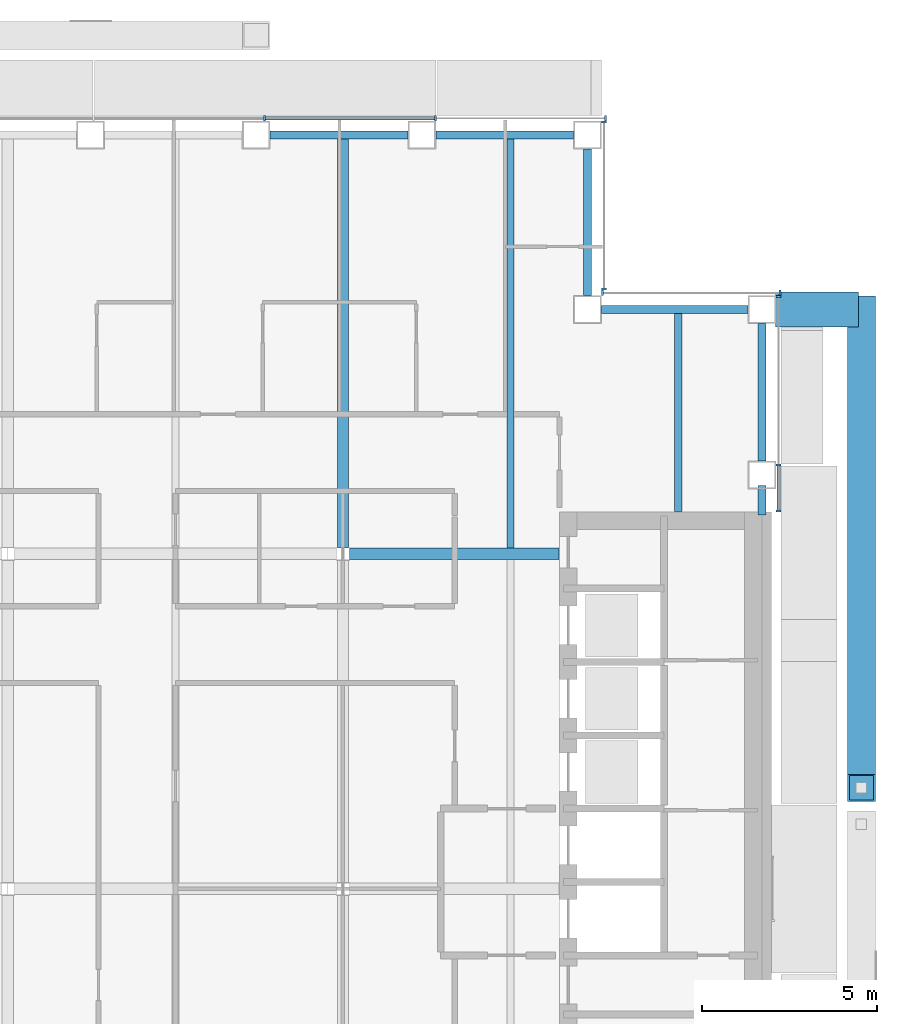
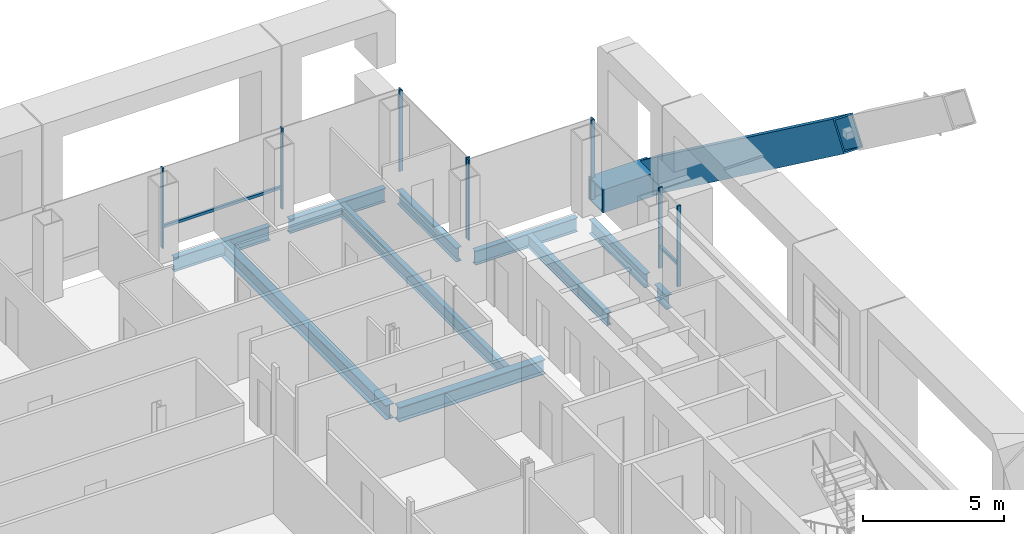
# One storey, part 10 of 22: 13 members, 11 beams, 4 elements without a shape of their own.
"""IFC4 building model written with IfcOpenShell, lengths in metres."""

from ifc_helpers import new_model, si_unit, direction, frame, origin, origin_2d, place, context, subcontext, project, spatial, rectangle, hollow_rectangle, i_section, extrude, material, material_profile, profile_set, type_object, element, aggregate, save


model = new_model("IFC4")

# Units and contexts
model_context = context("Model", 3, precision=1e-05, world=origin(), true_north=direction((0.0, 1.0)))
body_context = subcontext(model_context, "Body", "Model", "MODEL_VIEW")
ifc_project = project(units=[si_unit("LENGTHUNIT", "METRE"), si_unit("AREAUNIT", "SQUARE_METRE"), si_unit("VOLUMEUNIT", "CUBIC_METRE"), si_unit("PLANEANGLEUNIT", "RADIAN"), si_unit("MASSUNIT", "GRAM", prefix="KILO")], contexts=[model_context])

# Site, building, storey
site_placement = place(None, origin())
site = spatial("IfcSite", under=ifc_project, at=site_placement, CompositionType="ELEMENT")
building_placement = place(site_placement, origin())
building = spatial("IfcBuilding", under=site, at=building_placement, Name="Cobrizo Arcos Hotel Tower", CompositionType="ELEMENT")
storey_placement = place(building_placement, frame((0.0, 0.0, 162.0)))
storey = spatial("IfcBuildingStorey", under=building, at=storey_placement, Name="L41", CompositionType="ELEMENT", Elevation=162.0)

# Beam
ifc_material_1 = material(Name="Steel ASTM A572 Grade 50", Category="steel")
ifc_material_profile_1 = material_profile(ifc_material_1, hollow_rectangle(XDim=1.0, YDim=1.0, WallThickness=0.06005859375, at=origin_2d()), Name="BOX 1000X1000X60")
ifc_profile_set_1 = profile_set([ifc_material_profile_1], Name="Steel ASTM A572 Grade 50")
beam_type_1 = type_object("IfcBeamType", Name="BOX 1000X1000X60 brace connector strut", PredefinedType="BEAM", material=ifc_profile_set_1)
beam_1_placement = place(storey_placement, frame((21.989990234375, 16.60009765625, 0.5), z_axis=(1.0, 0.0, 0.0), x_axis=(0.0, 1.0, 0.0)))
element("IfcBeam", 1, at=beam_1_placement, inside=storey, type_object=beam_type_1, Name="Perimeter brace stub BS1, zone Z3, east face, offset +16.60 m, L41", PredefinedType="BEAM", context=body_context, shape_type="SweptSolid", body=[
    extrude(hollow_rectangle(XDim=1.0, YDim=1.0, WallThickness=0.06005859375, at=origin_2d()), origin(), (0.0, 0.0, 1.0), 2.380126953125),
])

# Member
ifc_material_profile_2 = material_profile(ifc_material_1, hollow_rectangle(XDim=0.800048828125, YDim=1.300048828125, WallThickness=0.06005859375, at=origin_2d()), Name="BOX 800X1300X60")
ifc_profile_set_2 = profile_set([ifc_material_profile_2], Name="Steel ASTM A572 Grade 50")
member_type_1 = type_object("IfcMemberType", Name="BOX 800X1300X60 perimeter brace", PredefinedType="BRACE", material=ifc_profile_set_2)
member_1_placement = place(storey_placement, frame((24.449951171875, 16.60009765625, 0.5), z_axis=(0.0, -0.804630166974, 0.593776299961), x_axis=(1.0, 0.0, 0.0)))
element("IfcMember", 2, at=member_1_placement, inside=storey, type_object=member_type_1, Name="Perimeter brace PBR3, zone Z3, east face, no. 09", PredefinedType="BRACE", context=body_context, shape_type="SweptSolid", body=[
    extrude(hollow_rectangle(XDim=0.800048828125, YDim=1.300048828125, WallThickness=0.06005859375, at=origin_2d()), origin(), (0.0, 0.0, 1.0), 17.033447265625),
])

# Curtain wall, members
ifc_material_2 = material(Name="Aluminium 6063-T6 anodised bronze", Category="aluminium")
curtain_wall_type = type_object("IfcCurtainWallType", Name="CW-A guest facade", PredefinedType="NOTDEFINED", material=ifc_material_2)
curtain_wall_1_placement = place(storey_placement, origin())
curtain_wall_1 = element("IfcCurtainWall", 3, at=curtain_wall_1_placement, inside=storey, type_object=curtain_wall_type, Name="CW-A L41 E face", PredefinedType="NOTDEFINED")
ifc_material_profile_3 = material_profile(ifc_material_2, rectangle(XDim=0.14990234375, YDim=0.06005859375, at=origin_2d()), Name="CW-A mullion 150x60")
ifc_profile_set_3 = profile_set([ifc_material_profile_3], Name="Aluminium 6063-T6 anodised bronze")
member_type_2 = type_object("IfcMemberType", Name="CW-A mullion 150x60", PredefinedType="MULLION", material=ifc_profile_set_3)
member_2_placement = place(storey_placement, frame((22.074951171875, 10.830078125, 0.0), z_axis=(0.0, 0.0, 1.0), x_axis=(1.0, 0.0, 0.0)))
member_2 = element("IfcMember", 4, at=member_2_placement, type_object=member_type_2, Name="CW-A mullion 1", PredefinedType="MULLION", context=body_context, shape_type="SweptSolid", body=[
    extrude(rectangle(XDim=0.14990234375, YDim=0.06005859375, at=origin_2d()), origin(), (0.0, 0.0, 1.0), 3.5),
])
member_3_placement = place(storey_placement, frame((22.074951171875, 12.142822265625, 0.0), z_axis=(0.0, 0.0, 1.0), x_axis=(1.0, 0.0, 0.0)))
member_3 = element("IfcMember", 5, at=member_3_placement, type_object=member_type_2, Name="CW-A mullion 2", PredefinedType="MULLION", context=body_context, shape_type="SweptSolid", body=[
    extrude(rectangle(XDim=0.14990234375, YDim=0.06005859375, at=origin_2d()), origin(), (0.0, 0.0, 1.0), 3.5),
])
member_4_placement = place(storey_placement, frame((22.074951171875, 16.969970703125, 0.0), z_axis=(0.0, 0.0, 1.0), x_axis=(1.0, 0.0, 0.0)))
member_4 = element("IfcMember", 6, at=member_4_placement, type_object=member_type_2, Name="CW-A mullion 3", PredefinedType="MULLION", context=body_context, shape_type="SweptSolid", body=[
    extrude(rectangle(XDim=0.14990234375, YDim=0.06005859375, at=origin_2d()), origin(), (0.0, 0.0, 1.0), 3.5),
])

curtain_wall_2_placement = place(storey_placement, origin())
curtain_wall_2 = element("IfcCurtainWall", 7, at=curtain_wall_2_placement, inside=storey, type_object=curtain_wall_type, Name="CW-A L41 N face", PredefinedType="NOTDEFINED")
member_5_placement = place(storey_placement, frame((22.1201171875, 17.074951171875, 0.0), z_axis=(0.0, 0.0, 1.0), x_axis=(0.0, 1.0, 0.0)))
member_5 = element("IfcMember", 8, at=member_5_placement, type_object=member_type_2, Name="CW-A mullion 1", PredefinedType="MULLION", context=body_context, shape_type="SweptSolid", body=[
    extrude(rectangle(XDim=0.14990234375, YDim=0.06005859375, at=origin_2d()), origin(), (0.0, 0.0, 1.0), 3.5),
])
member_6_placement = place(storey_placement, frame((17.030029296875, 17.074951171875, 0.0), z_axis=(0.0, 0.0, 1.0), x_axis=(0.0, 1.0, 0.0)))
member_6 = element("IfcMember", 9, at=member_6_placement, type_object=member_type_2, Name="CW-A mullion 2", PredefinedType="MULLION", context=body_context, shape_type="SweptSolid", body=[
    extrude(rectangle(XDim=0.14990234375, YDim=0.06005859375, at=origin_2d()), origin(), (0.0, 0.0, 1.0), 3.5),
])
aggregate(curtain_wall_2, [member_5, member_6])

curtain_wall_3_placement = place(storey_placement, origin())
curtain_wall_3 = element("IfcCurtainWall", 10, at=curtain_wall_3_placement, inside=storey, type_object=curtain_wall_type, Name="CW-A L41 E face", PredefinedType="NOTDEFINED")
member_7_placement = place(storey_placement, frame((17.074951171875, 17.179931640625, 0.0), z_axis=(0.0, 0.0, 1.0), x_axis=(1.0, 0.0, 0.0)))
member_7 = element("IfcMember", 11, at=member_7_placement, type_object=member_type_2, Name="CW-A mullion 1", PredefinedType="MULLION", context=body_context, shape_type="SweptSolid", body=[
    extrude(rectangle(XDim=0.14990234375, YDim=0.06005859375, at=origin_2d()), origin(), (0.0, 0.0, 1.0), 3.5),
])
member_8_placement = place(storey_placement, frame((17.074951171875, 21.969970703125, 0.0), z_axis=(0.0, 0.0, 1.0), x_axis=(1.0, 0.0, 0.0)))
member_8 = element("IfcMember", 12, at=member_8_placement, type_object=member_type_2, Name="CW-A mullion 2", PredefinedType="MULLION", context=body_context, shape_type="SweptSolid", body=[
    extrude(rectangle(XDim=0.14990234375, YDim=0.06005859375, at=origin_2d()), origin(), (0.0, 0.0, 1.0), 3.5),
])
aggregate(curtain_wall_3, [member_7, member_8])

curtain_wall_4_placement = place(storey_placement, origin())
curtain_wall_4 = element("IfcCurtainWall", 13, at=curtain_wall_4_placement, inside=storey, type_object=curtain_wall_type, Name="CW-A L41 N face", PredefinedType="NOTDEFINED")
member_9_placement = place(storey_placement, frame((17.1201171875, 22.074951171875, 0.0), z_axis=(0.0, 0.0, 1.0), x_axis=(0.0, 1.0, 0.0)))
member_9 = element("IfcMember", 14, at=member_9_placement, type_object=member_type_2, Name="CW-A mullion 1", PredefinedType="MULLION", context=body_context, shape_type="SweptSolid", body=[
    extrude(rectangle(XDim=0.14990234375, YDim=0.06005859375, at=origin_2d()), origin(), (0.0, 0.0, 1.0), 3.5),
])
member_10_placement = place(storey_placement, frame((12.25, 22.074951171875, 0.0), z_axis=(0.0, 0.0, 1.0), x_axis=(0.0, 1.0, 0.0)))
member_10 = element("IfcMember", 15, at=member_10_placement, type_object=member_type_2, Name="CW-A mullion 2", PredefinedType="MULLION", context=body_context, shape_type="SweptSolid", body=[
    extrude(rectangle(XDim=0.14990234375, YDim=0.06005859375, at=origin_2d()), origin(), (0.0, 0.0, 1.0), 3.5),
])
member_11_placement = place(storey_placement, frame((7.35009765625, 22.074951171875, 0.0), z_axis=(0.0, 0.0, 1.0), x_axis=(0.0, 1.0, 0.0)))
member_11 = element("IfcMember", 16, at=member_11_placement, type_object=member_type_2, Name="CW-A mullion 3", PredefinedType="MULLION", context=body_context, shape_type="SweptSolid", body=[
    extrude(rectangle(XDim=0.14990234375, YDim=0.06005859375, at=origin_2d()), origin(), (0.0, 0.0, 1.0), 3.5),
])

# Member
ifc_material_profile_4 = material_profile(ifc_material_2, rectangle(XDim=0.10009765625, YDim=0.1201171875, at=origin_2d()), Name="CW-A transom 120x100")
ifc_profile_set_4 = profile_set([ifc_material_profile_4], Name="Aluminium 6063-T6 anodised bronze")
member_type_3 = type_object("IfcMemberType", Name="CW-A transom 120x100", PredefinedType="USERDEFINED", material=ifc_profile_set_4)
member_12_placement = place(storey_placement, frame((22.074951171875, 10.860107421875, 0.929931640625), z_axis=(0.0, 1.0, 0.0), x_axis=(-1.0, 0.0, 0.0)))
member_12 = element("IfcMember", 17, at=member_12_placement, type_object=member_type_3, Name="CW-A transom 1467", ObjectType="TRANSOM", PredefinedType="USERDEFINED", context=body_context, shape_type="SweptSolid", body=[
    extrude(rectangle(XDim=0.10009765625, YDim=0.1201171875, at=origin_2d()), origin(), (0.0, 0.0, 1.0), 1.252685546875),
])

aggregate(curtain_wall_1, [member_2, member_3, member_4, member_12])

member_13_placement = place(storey_placement, frame((12.219970703125, 22.074951171875, 0.929931640625), z_axis=(-1.0, 0.0, 0.0), x_axis=(0.0, -1.0, 0.0)))
member_13 = element("IfcMember", 18, at=member_13_placement, type_object=member_type_3, Name="CW-A transom 1472", ObjectType="TRANSOM", PredefinedType="USERDEFINED", context=body_context, shape_type="SweptSolid", body=[
    extrude(rectangle(XDim=0.10009765625, YDim=0.1201171875, at=origin_2d()), origin(), (0.0, 0.0, 1.0), 4.840087890625),
])

aggregate(curtain_wall_4, [member_9, member_10, member_11, member_13])

# Beams
ifc_material_3 = material(Name="Steel ASTM A992 Grade 50", Category="steel")
ifc_material_profile_5 = material_profile(ifc_material_3, i_section(OverallWidth=0.209228515625, OverallDepth=0.533447265625, WebThickness=0.01025390625, FlangeThickness=0.015625, at=origin_2d()), Name="W21X62")
ifc_profile_set_5 = profile_set([ifc_material_profile_5], Name="Steel ASTM A992 Grade 50")
beam_type_2 = type_object("IfcBeamType", Name="W21X62 joist", PredefinedType="JOIST", material=ifc_profile_set_5)
beam_2_placement = place(storey_placement, frame((14.39990234375, 9.763916015625, -0.416748046875), z_axis=(0.0, 1.0, 0.0), x_axis=(-1.0, 0.0, 0.0)))
element("IfcBeam", 19, at=beam_2_placement, inside=storey, type_object=beam_type_2, Name="Floor joist J1, L41, no. 018", PredefinedType="JOIST", context=body_context, shape_type="SweptSolid", body=[
    extrude(i_section(OverallWidth=0.209228515625, OverallDepth=0.533447265625, WebThickness=0.01025390625, FlangeThickness=0.015625, at=origin_2d()), origin(), (0.0, 0.0, 1.0), 11.74609375),
])
beam_3_placement = place(storey_placement, frame((19.199951171875, 10.81005859375, -0.416748046875), z_axis=(0.0, 1.0, 0.0), x_axis=(-1.0, 0.0, 0.0)))
element("IfcBeam", 20, at=beam_3_placement, inside=storey, type_object=beam_type_2, Name="Floor joist J1, L41, no. 020", PredefinedType="JOIST", context=body_context, shape_type="SweptSolid", body=[
    extrude(i_section(OverallWidth=0.209228515625, OverallDepth=0.533447265625, WebThickness=0.01025390625, FlangeThickness=0.015625, at=origin_2d()), origin(), (0.0, 0.0, 1.0), 5.699951171875),
])
ifc_material_profile_6 = material_profile(ifc_material_3, i_section(OverallWidth=0.32763671875, OverallDepth=0.622314453125, WebThickness=0.015380859375, FlangeThickness=0.0244140625, at=origin_2d()), Name="W24X131")
ifc_profile_set_6 = profile_set([ifc_material_profile_6], Name="Steel ASTM A992 Grade 50")
beam_type_3 = type_object("IfcBeamType", Name="W24X131 girder", PredefinedType="BEAM", material=ifc_profile_set_6)
beam_4_placement = place(storey_placement, frame((9.78662109375, 9.60009765625, -0.461181640625), z_axis=(1.0, 0.0, 0.0), x_axis=(0.0, 1.0, 0.0)))
element("IfcBeam", 21, at=beam_4_placement, inside=storey, type_object=beam_type_3, Name="Floor girder G1, L41, no. 012", PredefinedType="BEAM", context=body_context, shape_type="SweptSolid", body=[
    extrude(i_section(OverallWidth=0.32763671875, OverallDepth=0.622314453125, WebThickness=0.015380859375, FlangeThickness=0.0244140625, at=origin_2d()), origin(), (0.0, 0.0, 1.0), 6.00341796875),
])
beam_5_placement = place(storey_placement, frame((9.60009765625, 9.78662109375, -0.461181640625), z_axis=(0.0, 1.0, 0.0), x_axis=(-1.0, 0.0, 0.0)))
element("IfcBeam", 22, at=beam_5_placement, inside=storey, type_object=beam_type_3, Name="Floor girder G1, L41, no. 024", PredefinedType="BEAM", context=body_context, shape_type="SweptSolid", body=[
    extrude(i_section(OverallWidth=0.32763671875, OverallDepth=0.622314453125, WebThickness=0.015380859375, FlangeThickness=0.0244140625, at=origin_2d()), origin(), (0.0, 0.0, 1.0), 11.723388671875),
])
ifc_material_profile_7 = material_profile(ifc_material_3, i_section(OverallWidth=0.228271484375, OverallDepth=0.607177734375, WebThickness=0.01123046875, FlangeThickness=0.017333984375, at=origin_2d()), Name="W24X76")
ifc_profile_set_7 = profile_set([ifc_material_profile_7], Name="Steel ASTM A992 Grade 50")
beam_type_4 = type_object("IfcBeamType", Name="W24X76 spandrel", PredefinedType="SPANDREL", material=ifc_profile_set_7)
beam_6_placement = place(storey_placement, frame((21.60009765625, 10.7099609375, -0.45361328125), z_axis=(0.0, 1.0, 0.0), x_axis=(-1.0, 0.0, 0.0)))
element("IfcBeam", 23, at=beam_6_placement, inside=storey, type_object=beam_type_4, Name="Spandrel beam W24X76, L41, no. 012", PredefinedType="SPANDREL", context=body_context, shape_type="SweptSolid", body=[
    extrude(i_section(OverallWidth=0.228271484375, OverallDepth=0.607177734375, WebThickness=0.01123046875, FlangeThickness=0.017333984375, at=origin_2d()), origin(), (0.0, 0.0, 1.0), 0.846923828125),
])
beam_7_placement = place(storey_placement, frame((21.60009765625, 12.257080078125, -0.45361328125), z_axis=(0.0, 1.0, 0.0), x_axis=(-1.0, 0.0, 0.0)))
element("IfcBeam", 24, at=beam_7_placement, inside=storey, type_object=beam_type_4, Name="Spandrel beam W24X76, L41, no. 013", PredefinedType="SPANDREL", context=body_context, shape_type="SweptSolid", body=[
    extrude(i_section(OverallWidth=0.228271484375, OverallDepth=0.607177734375, WebThickness=0.01123046875, FlangeThickness=0.017333984375, at=origin_2d()), origin(), (0.0, 0.0, 1.0), 3.94287109375),
])
for number, where, z_axis, x_axis, name in (
    (25, (21.199951171875, 16.60009765625, -0.45361328125), (-1.0, 0.0, 0.0), (0.0, -1.0, 0.0), "Spandrel beam W24X76, L41, no. 014"),
    (26, (16.60009765625, 17.0, -0.45361328125), (0.0, 1.0, 0.0), (-1.0, 0.0, 0.0), "Spandrel beam W24X76, L41, no. 015"),
):
    element("IfcBeam", number, at=place(storey_placement, frame(where, z_axis=z_axis, x_axis=x_axis)), inside=storey, type_object=beam_type_4, Name=name, PredefinedType="SPANDREL", context=body_context, shape_type="SweptSolid", body=[
        extrude(i_section(OverallWidth=0.228271484375, OverallDepth=0.607177734375, WebThickness=0.01123046875, FlangeThickness=0.017333984375, at=origin_2d()), origin(), (0.0, 0.0, 1.0), 4.199951171875),
    ])
beam_8_placement = place(storey_placement, frame((16.199951171875, 21.60009765625, -0.45361328125), z_axis=(-1.0, 0.0, 0.0), x_axis=(0.0, -1.0, 0.0)))
element("IfcBeam", 27, at=beam_8_placement, inside=storey, type_object=beam_type_4, Name="Spandrel beam W24X76, L41, no. 016", PredefinedType="SPANDREL", context=body_context, shape_type="SweptSolid", body=[
    extrude(i_section(OverallWidth=0.228271484375, OverallDepth=0.607177734375, WebThickness=0.01123046875, FlangeThickness=0.017333984375, at=origin_2d()), origin(), (0.0, 0.0, 1.0), 3.94287109375),
])
beam_9_placement = place(storey_placement, frame((11.45703125, 21.60009765625, -0.45361328125), z_axis=(-1.0, 0.0, 0.0), x_axis=(0.0, -1.0, 0.0)))
element("IfcBeam", 28, at=beam_9_placement, inside=storey, type_object=beam_type_4, Name="Spandrel beam W24X76, L41, no. 017", PredefinedType="SPANDREL", context=body_context, shape_type="SweptSolid", body=[
    extrude(i_section(OverallWidth=0.228271484375, OverallDepth=0.607177734375, WebThickness=0.01123046875, FlangeThickness=0.017333984375, at=origin_2d()), origin(), (0.0, 0.0, 1.0), 3.943115234375),
])

save(model, "model.ifc")
